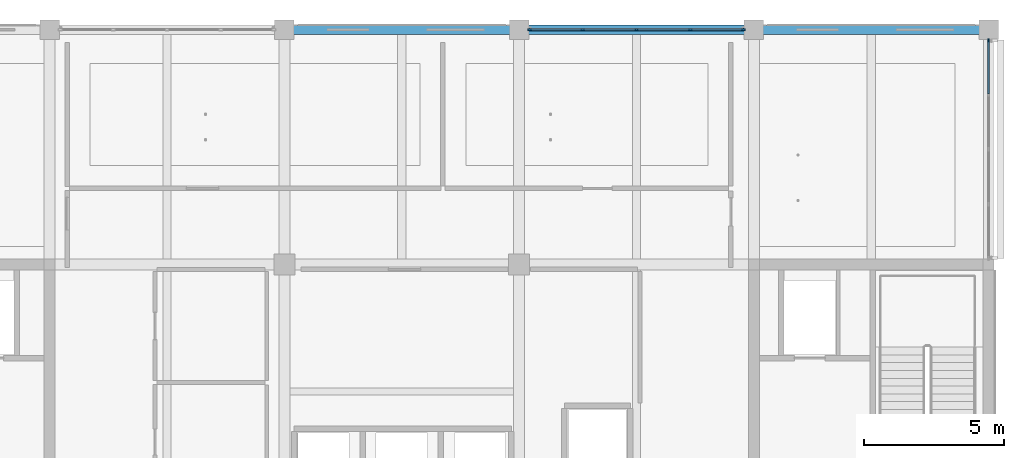
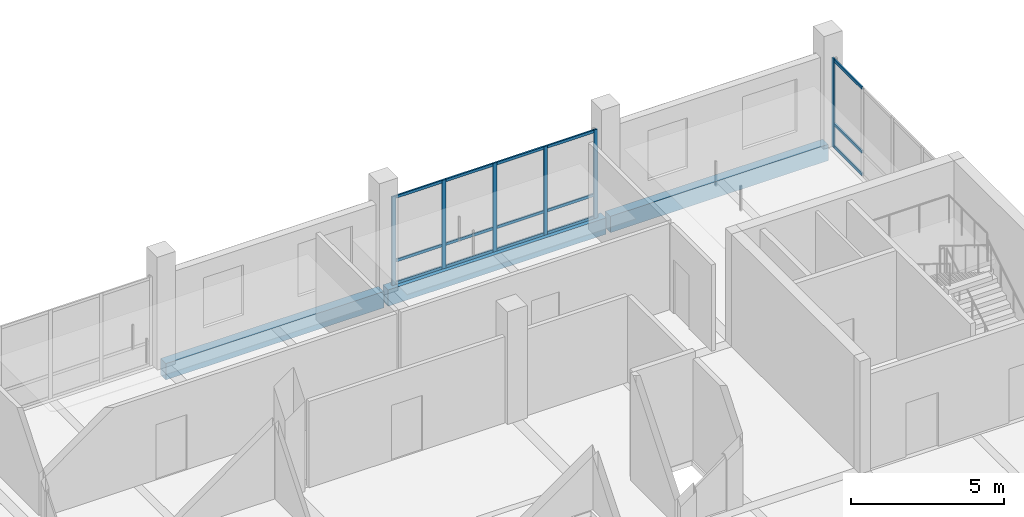
# One storey, part 9 of 32: 21 members, 3 beams, 2 elements without a shape of their own.
"""IFC4 building model written with IfcOpenShell, lengths in metres."""

from ifc_helpers import new_model, si_unit, direction, frame, origin, origin_2d, place, context, subcontext, project, spatial, rectangle, extrude, material, layer, layer_set, material_profile, profile_set, type_object, element, aggregate, save


model = new_model("IFC4")

# Units and contexts
model_context = context("Model", 3, precision=1e-05, world=origin(), true_north=direction((0.0, 1.0)))
body_context = subcontext(model_context, "Body", "Model", "MODEL_VIEW")
ifc_project = project(units=[si_unit("LENGTHUNIT", "METRE"), si_unit("AREAUNIT", "SQUARE_METRE"), si_unit("VOLUMEUNIT", "CUBIC_METRE"), si_unit("PLANEANGLEUNIT", "RADIAN"), si_unit("MASSUNIT", "GRAM", prefix="KILO")], contexts=[model_context])

# Site, building, storey
site_placement = place(None, origin())
site = spatial("IfcSite", under=ifc_project, at=site_placement, CompositionType="ELEMENT")
building_placement = place(site_placement, origin())
building = spatial("IfcBuilding", under=site, at=building_placement, Name="Telukmera Botanical Conservatory", CompositionType="ELEMENT")
storey_placement = place(building_placement, frame((0.0, 0.0, 42.0)))
storey = spatial("IfcBuildingStorey", under=building, at=storey_placement, Name="L09", CompositionType="ELEMENT", Elevation=42.0)

# Beams
ifc_material_1 = material(Name="Precast concrete C40/50", Category="concrete")
ifc_material_profile_1 = material_profile(ifc_material_1, rectangle(XDim=0.35009765625, YDim=0.64990234375, at=origin_2d()), Name="PC 350x650")
ifc_profile_set_1 = profile_set([ifc_material_profile_1], Name="Precast concrete C40/50")
beam_type = type_object("IfcBeamType", Name="Beam_SP3", PredefinedType="SPANDREL", material=ifc_profile_set_1)
for number, where, z_axis, x_axis, name in (
    (1, (75.679931640625, 42.800048828125, -0.324951171875), (1.0, 0.0, 0.0), (0.0, 1.0, 0.0), "Tower Grid Beam L09"),
    (2, (84.080078125, 42.800048828125, -0.324951171875), (1.0, 0.0, 0.0), (0.0, 1.0, 0.0), "Tower Grid Beam L09"),
    (3, (92.47998046875, 42.800048828125, -0.324951171875), (1.0, 0.0, 0.0), (0.0, 1.0, 0.0), "Tower Grid Beam L09"),
):
    element("IfcBeam", number, at=place(storey_placement, frame(where, z_axis=z_axis, x_axis=x_axis)), inside=storey, type_object=beam_type, Name=name, PredefinedType="SPANDREL", context=body_context, shape_type="SweptSolid", body=[
        extrude(rectangle(XDim=0.35009765625, YDim=0.64990234375, at=origin_2d()), origin(), (0.0, 0.0, 1.0), 8.239990234375),
    ])

# Curtain wall, members
ifc_material_2 = material(Name="Anodised aluminium 6063-T6", Category="aluminium")
ifc_layer = layer(ifc_material_2, 0.179931640625)
ifc_layer_set = layer_set([ifc_layer], Name="Anodised aluminium 6063-T6")
curtain_wall_type = type_object("IfcCurtainWallType", Name="Tower Research Laboratory Unitised Curtain Wall", PredefinedType="USERDEFINED", material=ifc_layer_set)
curtain_wall_1_placement = place(storey_placement, origin())
curtain_wall_1 = element("IfcCurtainWall", 4, at=curtain_wall_1_placement, inside=storey, type_object=curtain_wall_type, Name="Unitised Curtain Wall CW15 V4:L09:N5", ObjectType="UNITISED CURTAIN WALL", PredefinedType="USERDEFINED")
ifc_material_profile_2 = material_profile(ifc_material_2, rectangle(XDim=0.06005859375, YDim=0.139892578125, at=origin_2d()), Name="ALU MULL 60x140")
ifc_profile_set_2 = profile_set([ifc_material_profile_2], Name="Anodised aluminium 6063-T6")
member_type_1 = type_object("IfcMemberType", Name="Curtain Wall Extruded Mullion 60x140", PredefinedType="MULLION", material=ifc_profile_set_2)
member_1_placement = place(storey_placement, frame((84.382080078125, 42.800048828125, 0.0), z_axis=(0.0, 0.0, 1.0), x_axis=(0.0, 1.0, 0.0)))
member_1 = element("IfcMember", 5, at=member_1_placement, type_object=member_type_1, Name="CW15 mullion 1", PredefinedType="MULLION", context=body_context, shape_type="SweptSolid", body=[
    extrude(rectangle(XDim=0.06005859375, YDim=0.139892578125, at=origin_2d()), origin(), (0.0, 0.0, 1.0), 3.550048828125),
])
member_2_placement = place(storey_placement, frame((86.27587890625, 42.800048828125, 0.0), z_axis=(0.0, 0.0, 1.0), x_axis=(0.0, 1.0, 0.0)))
member_2 = element("IfcMember", 6, at=member_2_placement, type_object=member_type_1, Name="CW15 mullion 2", PredefinedType="MULLION", context=body_context, shape_type="SweptSolid", body=[
    extrude(rectangle(XDim=0.06005859375, YDim=0.139892578125, at=origin_2d()), origin(), (0.0, 0.0, 1.0), 3.550048828125),
])
member_3_placement = place(storey_placement, frame((88.199951171875, 42.800048828125, 0.0), z_axis=(0.0, 0.0, 1.0), x_axis=(0.0, 1.0, 0.0)))
member_3 = element("IfcMember", 7, at=member_3_placement, type_object=member_type_1, Name="CW15 mullion 3", PredefinedType="MULLION", context=body_context, shape_type="SweptSolid", body=[
    extrude(rectangle(XDim=0.06005859375, YDim=0.139892578125, at=origin_2d()), origin(), (0.0, 0.0, 1.0), 3.550048828125),
])
member_4_placement = place(storey_placement, frame((90.1240234375, 42.800048828125, 0.0), z_axis=(0.0, 0.0, 1.0), x_axis=(0.0, 1.0, 0.0)))
member_4 = element("IfcMember", 8, at=member_4_placement, type_object=member_type_1, Name="CW15 mullion 4", PredefinedType="MULLION", context=body_context, shape_type="SweptSolid", body=[
    extrude(rectangle(XDim=0.06005859375, YDim=0.139892578125, at=origin_2d()), origin(), (0.0, 0.0, 1.0), 3.550048828125),
])
member_5_placement = place(storey_placement, frame((92.01806640625, 42.800048828125, 0.0), z_axis=(0.0, 0.0, 1.0), x_axis=(0.0, 1.0, 0.0)))
member_5 = element("IfcMember", 9, at=member_5_placement, type_object=member_type_1, Name="CW15 mullion 5", PredefinedType="MULLION", context=body_context, shape_type="SweptSolid", body=[
    extrude(rectangle(XDim=0.06005859375, YDim=0.139892578125, at=origin_2d()), origin(), (0.0, 0.0, 1.0), 3.550048828125),
])

# Curtain wall, member
curtain_wall_2_placement = place(storey_placement, origin())
curtain_wall_2 = element("IfcCurtainWall", 10, at=curtain_wall_2_placement, inside=storey, type_object=curtain_wall_type, Name="Unitised Curtain Wall CW15 V4:L09:E4", ObjectType="UNITISED CURTAIN WALL", PredefinedType="USERDEFINED")
member_6_placement = place(storey_placement, frame((100.800048828125, 42.41796875, 0.0), z_axis=(0.0, 0.0, 1.0), x_axis=(-1.0, 0.0, 0.0)))
member_6 = element("IfcMember", 11, at=member_6_placement, type_object=member_type_1, Name="CW15 mullion 5", PredefinedType="MULLION", context=body_context, shape_type="SweptSolid", body=[
    extrude(rectangle(XDim=0.06005859375, YDim=0.139892578125, at=origin_2d()), origin(), (0.0, 0.0, 1.0), 3.550048828125),
])

# Member
ifc_material_profile_3 = material_profile(ifc_material_2, rectangle(XDim=0.06005859375, YDim=0.110107421875, at=origin_2d()), Name="ALU TRAN 60x110")
ifc_profile_set_3 = profile_set([ifc_material_profile_3], Name="Anodised aluminium 6063-T6")
member_type_2 = type_object("IfcMemberType", Name="Curtain Wall Extruded Transom 60x110", PredefinedType="USERDEFINED", material=ifc_profile_set_3)
member_7_placement = place(storey_placement, frame((84.412109375, 42.800048828125, 0.054931640625), z_axis=(1.0, 0.0, 0.0), x_axis=(0.0, 1.0, 0.0)))
member_7 = element("IfcMember", 12, at=member_7_placement, type_object=member_type_2, Name="CW15 transom 1.1", ObjectType="TRANSOM", PredefinedType="USERDEFINED", context=body_context, shape_type="SweptSolid", body=[
    extrude(rectangle(XDim=0.06005859375, YDim=0.110107421875, at=origin_2d()), origin(), (0.0, 0.0, 1.0), 1.833984375),
])

member_8_placement = place(storey_placement, frame((84.412109375, 42.800048828125, 0.949951171875), z_axis=(1.0, 0.0, 0.0), x_axis=(0.0, 1.0, 0.0)))
member_8 = element("IfcMember", 13, at=member_8_placement, type_object=member_type_2, Name="CW15 transom 1.2", ObjectType="TRANSOM", PredefinedType="USERDEFINED", context=body_context, shape_type="SweptSolid", body=[
    extrude(rectangle(XDim=0.06005859375, YDim=0.110107421875, at=origin_2d()), origin(), (0.0, 0.0, 1.0), 1.833984375),
])

member_9_placement = place(storey_placement, frame((84.412109375, 42.800048828125, 3.4951171875), z_axis=(1.0, 0.0, 0.0), x_axis=(0.0, 1.0, 0.0)))
member_9 = element("IfcMember", 14, at=member_9_placement, type_object=member_type_2, Name="CW15 transom 1.3", ObjectType="TRANSOM", PredefinedType="USERDEFINED", context=body_context, shape_type="SweptSolid", body=[
    extrude(rectangle(XDim=0.06005859375, YDim=0.110107421875, at=origin_2d()), origin(), (0.0, 0.0, 1.0), 1.833984375),
])

member_10_placement = place(storey_placement, frame((86.305908203125, 42.800048828125, 0.054931640625), z_axis=(1.0, 0.0, 0.0), x_axis=(0.0, 1.0, 0.0)))
member_10 = element("IfcMember", 15, at=member_10_placement, type_object=member_type_2, Name="CW15 transom 2.1", ObjectType="TRANSOM", PredefinedType="USERDEFINED", context=body_context, shape_type="SweptSolid", body=[
    extrude(rectangle(XDim=0.06005859375, YDim=0.110107421875, at=origin_2d()), origin(), (0.0, 0.0, 1.0), 1.864013671875),
])

member_11_placement = place(storey_placement, frame((86.305908203125, 42.800048828125, 0.949951171875), z_axis=(1.0, 0.0, 0.0), x_axis=(0.0, 1.0, 0.0)))
member_11 = element("IfcMember", 16, at=member_11_placement, type_object=member_type_2, Name="CW15 transom 2.2", ObjectType="TRANSOM", PredefinedType="USERDEFINED", context=body_context, shape_type="SweptSolid", body=[
    extrude(rectangle(XDim=0.06005859375, YDim=0.110107421875, at=origin_2d()), origin(), (0.0, 0.0, 1.0), 1.864013671875),
])

member_12_placement = place(storey_placement, frame((86.305908203125, 42.800048828125, 3.4951171875), z_axis=(1.0, 0.0, 0.0), x_axis=(0.0, 1.0, 0.0)))
member_12 = element("IfcMember", 17, at=member_12_placement, type_object=member_type_2, Name="CW15 transom 2.3", ObjectType="TRANSOM", PredefinedType="USERDEFINED", context=body_context, shape_type="SweptSolid", body=[
    extrude(rectangle(XDim=0.06005859375, YDim=0.110107421875, at=origin_2d()), origin(), (0.0, 0.0, 1.0), 1.864013671875),
])

member_13_placement = place(storey_placement, frame((88.22998046875, 42.800048828125, 0.054931640625), z_axis=(1.0, 0.0, 0.0), x_axis=(0.0, 1.0, 0.0)))
member_13 = element("IfcMember", 18, at=member_13_placement, type_object=member_type_2, Name="CW15 transom 3.1", ObjectType="TRANSOM", PredefinedType="USERDEFINED", context=body_context, shape_type="SweptSolid", body=[
    extrude(rectangle(XDim=0.06005859375, YDim=0.110107421875, at=origin_2d()), origin(), (0.0, 0.0, 1.0), 1.864013671875),
])

member_14_placement = place(storey_placement, frame((88.22998046875, 42.800048828125, 0.949951171875), z_axis=(1.0, 0.0, 0.0), x_axis=(0.0, 1.0, 0.0)))
member_14 = element("IfcMember", 19, at=member_14_placement, type_object=member_type_2, Name="CW15 transom 3.2", ObjectType="TRANSOM", PredefinedType="USERDEFINED", context=body_context, shape_type="SweptSolid", body=[
    extrude(rectangle(XDim=0.06005859375, YDim=0.110107421875, at=origin_2d()), origin(), (0.0, 0.0, 1.0), 1.864013671875),
])

member_15_placement = place(storey_placement, frame((88.22998046875, 42.800048828125, 3.4951171875), z_axis=(1.0, 0.0, 0.0), x_axis=(0.0, 1.0, 0.0)))
member_15 = element("IfcMember", 20, at=member_15_placement, type_object=member_type_2, Name="CW15 transom 3.3", ObjectType="TRANSOM", PredefinedType="USERDEFINED", context=body_context, shape_type="SweptSolid", body=[
    extrude(rectangle(XDim=0.06005859375, YDim=0.110107421875, at=origin_2d()), origin(), (0.0, 0.0, 1.0), 1.864013671875),
])

member_16_placement = place(storey_placement, frame((90.154052734375, 42.800048828125, 0.054931640625), z_axis=(1.0, 0.0, 0.0), x_axis=(0.0, 1.0, 0.0)))
member_16 = element("IfcMember", 21, at=member_16_placement, type_object=member_type_2, Name="CW15 transom 4.1", ObjectType="TRANSOM", PredefinedType="USERDEFINED", context=body_context, shape_type="SweptSolid", body=[
    extrude(rectangle(XDim=0.06005859375, YDim=0.110107421875, at=origin_2d()), origin(), (0.0, 0.0, 1.0), 1.833984375),
])

member_17_placement = place(storey_placement, frame((90.154052734375, 42.800048828125, 0.949951171875), z_axis=(1.0, 0.0, 0.0), x_axis=(0.0, 1.0, 0.0)))
member_17 = element("IfcMember", 22, at=member_17_placement, type_object=member_type_2, Name="CW15 transom 4.2", ObjectType="TRANSOM", PredefinedType="USERDEFINED", context=body_context, shape_type="SweptSolid", body=[
    extrude(rectangle(XDim=0.06005859375, YDim=0.110107421875, at=origin_2d()), origin(), (0.0, 0.0, 1.0), 1.833984375),
])

member_18_placement = place(storey_placement, frame((90.154052734375, 42.800048828125, 3.4951171875), z_axis=(1.0, 0.0, 0.0), x_axis=(0.0, 1.0, 0.0)))
member_18 = element("IfcMember", 23, at=member_18_placement, type_object=member_type_2, Name="CW15 transom 4.3", ObjectType="TRANSOM", PredefinedType="USERDEFINED", context=body_context, shape_type="SweptSolid", body=[
    extrude(rectangle(XDim=0.06005859375, YDim=0.110107421875, at=origin_2d()), origin(), (0.0, 0.0, 1.0), 1.833984375),
])

aggregate(curtain_wall_1, [member_1, member_2, member_3, member_4, member_5, member_7, member_8, member_9, member_10, member_11, member_12, member_13, member_14, member_15, member_16, member_17, member_18])

member_19_placement = place(storey_placement, frame((100.800048828125, 40.5166015625, 0.054931640625), z_axis=(0.0, 1.0, 0.0), x_axis=(-1.0, 0.0, 0.0)))
member_19 = element("IfcMember", 24, at=member_19_placement, type_object=member_type_2, Name="CW15 transom 4.1", ObjectType="TRANSOM", PredefinedType="USERDEFINED", context=body_context, shape_type="SweptSolid", body=[
    extrude(rectangle(XDim=0.06005859375, YDim=0.110107421875, at=origin_2d()), origin(), (0.0, 0.0, 1.0), 1.871337890625),
])

member_20_placement = place(storey_placement, frame((100.800048828125, 40.5166015625, 0.949951171875), z_axis=(0.0, 1.0, 0.0), x_axis=(-1.0, 0.0, 0.0)))
member_20 = element("IfcMember", 25, at=member_20_placement, type_object=member_type_2, Name="CW15 transom 4.2", ObjectType="TRANSOM", PredefinedType="USERDEFINED", context=body_context, shape_type="SweptSolid", body=[
    extrude(rectangle(XDim=0.06005859375, YDim=0.110107421875, at=origin_2d()), origin(), (0.0, 0.0, 1.0), 1.871337890625),
])

member_21_placement = place(storey_placement, frame((100.800048828125, 40.5166015625, 3.4951171875), z_axis=(0.0, 1.0, 0.0), x_axis=(-1.0, 0.0, 0.0)))
member_21 = element("IfcMember", 26, at=member_21_placement, type_object=member_type_2, Name="CW15 transom 4.3", ObjectType="TRANSOM", PredefinedType="USERDEFINED", context=body_context, shape_type="SweptSolid", body=[
    extrude(rectangle(XDim=0.06005859375, YDim=0.110107421875, at=origin_2d()), origin(), (0.0, 0.0, 1.0), 1.871337890625),
])

aggregate(curtain_wall_2, [member_6, member_19, member_20, member_21])

save(model, "model.ifc")
